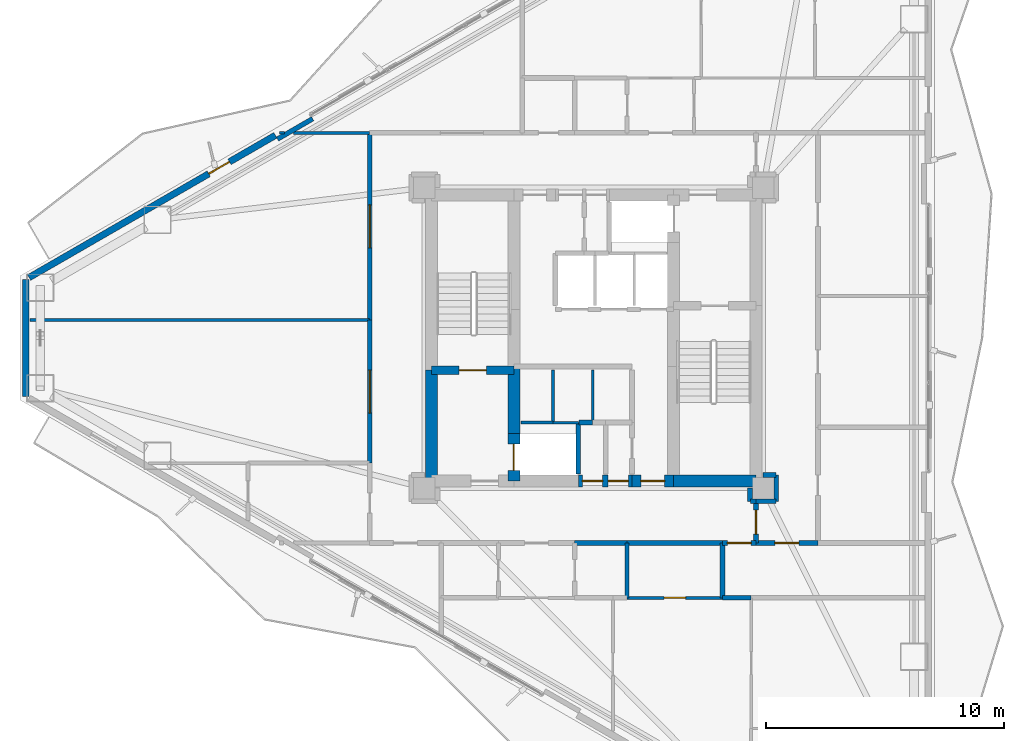
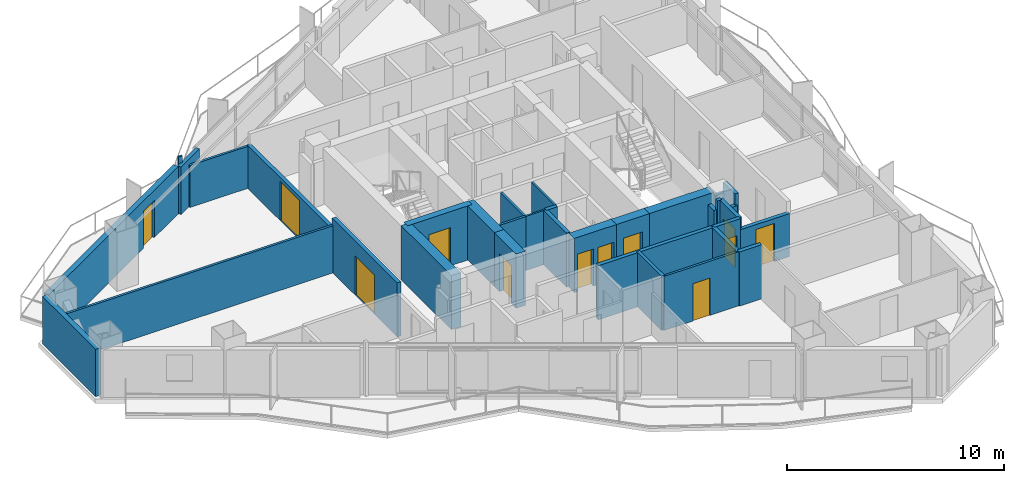
# One storey, part 16 of 22: 35 walls, 12 doors, 12 openings.
"""IFC4 building model written with IfcOpenShell, lengths in metres."""

from ifc_helpers import new_model, si_unit, direction, frame, frame_2d, origin, place, context, subcontext, project, spatial, rectangle, extrude, material, layer, layer_set, type_object, element, fill, save


model = new_model("IFC4")

# Units and contexts
model_context = context("Model", 3, precision=1e-05, world=origin(), true_north=direction((0.0, 1.0)))
body_context = subcontext(model_context, "Body", "Model", "MODEL_VIEW")
ifc_project = project(units=[si_unit("LENGTHUNIT", "METRE"), si_unit("AREAUNIT", "SQUARE_METRE"), si_unit("VOLUMEUNIT", "CUBIC_METRE"), si_unit("PLANEANGLEUNIT", "RADIAN"), si_unit("MASSUNIT", "GRAM", prefix="KILO")], contexts=[model_context])

# Site, building, storey
site_placement = place(None, origin())
site = spatial("IfcSite", under=ifc_project, at=site_placement, CompositionType="ELEMENT")
building_placement = place(site_placement, origin())
building = spatial("IfcBuilding", under=site, at=building_placement, Name="Mersakhor Tower and Convention Hall", CompositionType="ELEMENT")
storey_placement = place(building_placement, frame((0.0, 0.0, 90.0)))
storey = spatial("IfcBuildingStorey", under=building, at=storey_placement, Name="L24", CompositionType="ELEMENT", Elevation=90.0)

# Wall
ifc_material_1 = material(Name="Precast concrete C45/55", Category="concrete")
ifc_layer_1 = layer(ifc_material_1, 0.27490234375)
ifc_layer_set_1 = layer_set([ifc_layer_1], Name="Precast concrete C45/55")
wall_type_1 = type_object("IfcWallType", Name="WL-EXT-275", PredefinedType="SOLIDWALL", material=ifc_layer_set_1)
wall_1_placement = place(storey_placement, frame((5.186767578125, 24.292724609375, 0.0), z_axis=(0.0, 0.0, 1.0), x_axis=(0.0, 1.0, 0.0)))
element("IfcWall", 1, at=wall_1_placement, inside=storey, type_object=wall_type_1, Name="L24 Chamfer Braced Spandrel Wall C3", PredefinedType="SOLIDWALL", context=body_context, shape_type="SweptSolid", body=[
    extrude(rectangle(XDim=4.91455078125, YDim=0.27490234375, at=frame_2d((2.457275390625, 0.0))), origin(), (0.0, 0.0, 1.0), 2.669921875),
])

# Wall, opening, door
wall_2_placement = place(storey_placement, frame((5.316650390625, 29.2822265625, 0.0), z_axis=(0.0, 0.0, 1.0), x_axis=(0.866023023012, 0.500004123596, 0.0)))
wall_2 = element("IfcWall", 2, at=wall_2_placement, inside=storey, type_object=wall_type_1, Name="L24 Exterior Facade Wall F1-B1", PredefinedType="SOLIDWALL", context=body_context, shape_type="SweptSolid", body=[
    extrude(rectangle(XDim=11.9296875, YDim=0.27490234375, at=frame_2d((5.96484375, 0.0))), origin(), (0.0, 0.0, 1.0), 2.669921875),
])
opening_1_placement = place(wall_2_placement, frame((8.7041015625, 0.0, 0.0)))
opening_1 = element("IfcOpeningElement", 3, at=opening_1_placement, cuts=wall_2, Name="Opening BD-01", PredefinedType="OPENING", context=body_context, shape_type="SweptSolid", body=[
    extrude(rectangle(XDim=1.0, YDim=2.10009765625, at=frame_2d((0.5, 1.050048828125))), frame((0.0, 0.1474609375, 0.0), z_axis=(0.0, -1.0, 0.0), x_axis=(1.0, 0.0, 0.0)), (0.0, 0.0, 1.0), 0.294921875),
])
ifc_material_2 = material(Name="Thermally broken dark aluminium and safety glass", Category="aluminium")
door_type_1 = type_object("IfcDoorType", Name="DR-BAL-100x210", OperationType="NOTDEFINED", PredefinedType="DOOR", material=ifc_material_2)
door_1_placement = place(opening_1_placement, origin())
door_1 = element("IfcDoor", 4, at=door_1_placement, inside=storey, type_object=door_type_1, Name="L24 Balcony Terrace Door F1-B1", OperationType="SINGLE_SWING_LEFT", OverallHeight=2.10009765625, OverallWidth=1.0, PredefinedType="DOOR", context=body_context, shape_type="SweptSolid", body=[
    extrude(rectangle(XDim=1.0, YDim=2.10009765625, at=frame_2d((0.5, 1.050048828125))), frame((0.0, 0.02490234375, 0.0), z_axis=(0.0, -1.0, 0.0), x_axis=(1.0, 0.0, 0.0)), (0.0, 0.0, 1.0), 0.050048828125),
])
fill(opening_1, door_1)

# Walls
ifc_material_3 = material(Name="Precast concrete C40/50", Category="concrete")
ifc_layer_2 = layer(ifc_material_3, 0.199951171875)
ifc_layer_set_2 = layer_set([ifc_layer_2], Name="Precast concrete C40/50")
wall_type_2 = type_object("IfcWallType", Name="WL-PAR-200", PredefinedType="PARAPET", material=ifc_layer_set_2)
wall_3_placement = place(storey_placement, frame((15.73779296875, 35.091064453125, 0.0), z_axis=(0.0, 0.0, 1.0), x_axis=(0.866025371046, 0.500000056704, 0.0)))
element("IfcWall", 5, at=wall_3_placement, inside=storey, type_object=wall_type_2, Name="L24 Column Pier Cladding Wall F1-C1", PredefinedType="PARAPET", context=body_context, shape_type="SweptSolid", body=[
    extrude(rectangle(XDim=1.7001953125, YDim=0.199951171875, at=frame_2d((0.85009765625, 0.0))), origin(), (0.0, 0.0, 1.0), 2.669921875),
])
ifc_material_4 = material(Name="Moisture-resistant acoustic drywall studwork", Category="other")
ifc_layer_3 = layer(ifc_material_4, 0.175048828125)
ifc_layer_set_3 = layer_set([ifc_layer_3], Name="Moisture-resistant acoustic drywall studwork")
wall_type_3 = type_object("IfcWallType", Name="WL-PLM-175", PredefinedType="PLUMBINGWALL", material=ifc_layer_set_3)
wall_4_placement = place(storey_placement, frame((30.39990234375, 18.14990234375, 0.0), z_axis=(0.0, 0.0, 1.0), x_axis=(0.0, -1.0, 0.0)))
element("IfcWall", 6, at=wall_4_placement, inside=storey, type_object=wall_type_3, Name="L24 Interior Partition Wall P-082", PredefinedType="PLUMBINGWALL", context=body_context, shape_type="SweptSolid", body=[
    extrude(rectangle(XDim=2.2998046875, YDim=0.175048828125, at=frame_2d((1.14990234375, 0.0))), origin(), (0.0, 0.0, 1.0), 3.050048828125),
])
ifc_material_5 = material(Name="Lightweight gypsum partition", Category="other")
ifc_layer_4 = layer(ifc_material_5, 0.10009765625)
ifc_layer_set_4 = layer_set([ifc_layer_4], Name="Lightweight gypsum partition")
wall_type_4 = type_object("IfcWallType", Name="WL-PRT-100", PredefinedType="PARTITIONING", material=ifc_layer_set_4)
wall_5_placement = place(storey_placement, frame((27.300048828125, 23.199951171875, 0.0), z_axis=(0.0, 0.0, 1.0), x_axis=(1.0, 0.0, 0.0)))
element("IfcWall", 7, at=wall_5_placement, inside=storey, type_object=wall_type_4, Name="L24 Interior Partition Wall P-002", PredefinedType="PARTITIONING", context=body_context, shape_type="SweptSolid", body=[
    extrude(rectangle(XDim=1.050048828125, YDim=0.10009765625, at=frame_2d((0.52490234375, 0.0))), origin(), (0.0, 0.0, 1.0), 3.050048828125),
])
wall_6_placement = place(storey_placement, frame((28.949951171875, 25.39990234375, 0.0), z_axis=(0.0, 0.0, 1.0), x_axis=(0.0, -1.0, 0.0)))
element("IfcWall", 8, at=wall_6_placement, inside=storey, type_object=wall_type_4, Name="L24 Interior Partition Wall P-008", PredefinedType="PARTITIONING", context=body_context, shape_type="SweptSolid", body=[
    extrude(rectangle(XDim=2.199951171875, YDim=0.10009765625, at=frame_2d((1.10009765625, 0.0))), origin(), (0.0, 0.0, 1.0), 3.050048828125),
])
wall_7_placement = place(storey_placement, frame((16.026123046875, 35.35009765625, 0.0), z_axis=(0.0, 0.0, 1.0), x_axis=(-1.0, 0.0, 0.0)))
element("IfcWall", 9, at=wall_7_placement, inside=storey, type_object=wall_type_4, Name="L24 Interior Partition Wall P-088", PredefinedType="PARTITIONING", context=body_context, shape_type="SweptSolid", body=[
    extrude(rectangle(XDim=0.2001953125, YDim=0.10009765625, at=frame_2d((0.10009765625, 0.0))), origin(), (0.0, 0.0, 1.0), 3.050048828125),
])
ifc_material_6 = material(Name="Gypsum board acoustic partition", Category="other")
ifc_layer_5 = layer(ifc_material_6, 0.125)
ifc_layer_set_5 = layer_set([ifc_layer_5], Name="Gypsum board acoustic partition")
wall_type_5 = type_object("IfcWallType", Name="WL-PRT-125", PredefinedType="PARTITIONING", material=ifc_layer_set_5)
wall_8_placement = place(storey_placement, frame((25.949951171875, 23.199951171875, 0.0), z_axis=(0.0, 0.0, 1.0), x_axis=(1.0, 0.0, 0.0)))
element("IfcWall", 10, at=wall_8_placement, inside=storey, type_object=wall_type_5, Name="L24 Interior Partition Wall P-001", PredefinedType="PARTITIONING", context=body_context, shape_type="SweptSolid", body=[
    extrude(rectangle(XDim=1.35009765625, YDim=0.125, at=frame_2d((0.675048828125, 0.0))), origin(), (0.0, 0.0, 1.0), 3.050048828125),
])
wall_9_placement = place(storey_placement, frame((27.300048828125, 25.39990234375, 0.0), z_axis=(0.0, 0.0, 1.0), x_axis=(0.0, -1.0, 0.0)))
element("IfcWall", 11, at=wall_9_placement, inside=storey, type_object=wall_type_5, Name="L24 Interior Partition Wall P-007", PredefinedType="PARTITIONING", context=body_context, shape_type="SweptSolid", body=[
    extrude(rectangle(XDim=2.199951171875, YDim=0.125, at=frame_2d((1.10009765625, 0.0))), origin(), (0.0, 0.0, 1.0), 3.050048828125),
])

# Wall, opening, door
wall_10_placement = place(storey_placement, frame((34.39990234375, 15.85009765625, 0.0), z_axis=(0.0, 0.0, 1.0), x_axis=(-1.0, 0.0, 0.0)))
wall_10 = element("IfcWall", 12, at=wall_10_placement, inside=storey, type_object=wall_type_5, Name="L24 Interior Partition Wall P-083", PredefinedType="PARTITIONING", context=body_context, shape_type="SweptSolid", body=[
    extrude(rectangle(XDim=4.0, YDim=0.125, at=frame_2d((2.0, 0.0))), origin(), (0.0, 0.0, 1.0), 3.050048828125),
])
opening_2_placement = place(wall_10_placement, frame((1.550048828125, 0.0, 0.0)))
opening_2 = element("IfcOpeningElement", 13, at=opening_2_placement, cuts=wall_10, Name="Opening WD-01", PredefinedType="OPENING", context=body_context, shape_type="SweptSolid", body=[
    extrude(rectangle(XDim=0.89990234375, YDim=2.10009765625, at=frame_2d((0.449951171875, 1.050048828125))), frame((0.0, 0.072509765625, 0.0), z_axis=(0.0, -1.0, 0.0), x_axis=(1.0, 0.0, 0.0)), (0.0, 0.0, 1.0), 0.14501953125),
])
ifc_material_7 = material(Name="Solid-core hardwood leaf in painted steel frame", Category="steel")
door_type_2 = type_object("IfcDoorType", Name="DR-INT-WET-090x210", OperationType="NOTDEFINED", PredefinedType="DOOR", material=ifc_material_7)
door_2_placement = place(opening_2_placement, origin())
door_2 = element("IfcDoor", 14, at=door_2_placement, inside=storey, type_object=door_type_2, Name="L24 L24 Flat S2 Kitchen to L24 Flat S2 Master Bedroom Door", OperationType="SINGLE_SWING_RIGHT", OverallHeight=2.10009765625, OverallWidth=0.89990234375, PredefinedType="DOOR", context=body_context, shape_type="SweptSolid", body=[
    extrude(rectangle(XDim=0.89990234375, YDim=2.10009765625, at=frame_2d((0.449951171875, 1.050048828125))), frame((0.0, 0.02490234375, 0.0), z_axis=(0.0, -1.0, 0.0), x_axis=(1.0, 0.0, 0.0)), (0.0, 0.0, 1.0), 0.050048828125),
])
fill(opening_2, door_2)

# Walls
wall_11_placement = place(storey_placement, frame((19.60009765625, 35.35009765625, 0.0), z_axis=(0.0, 0.0, 1.0), x_axis=(-1.0, 0.0, 0.0)))
element("IfcWall", 15, at=wall_11_placement, inside=storey, type_object=wall_type_5, Name="L24 Interior Partition Wall P-087", PredefinedType="PARTITIONING", context=body_context, shape_type="SweptSolid", body=[
    extrude(rectangle(XDim=3.188232421875, YDim=0.125, at=frame_2d((1.59423828125, 0.0))), origin(), (0.0, 0.0, 1.0), 2.364990234375),
])
wall_12_placement = place(storey_placement, frame((19.60009765625, 27.5, 0.0), z_axis=(0.0, 0.0, 1.0), x_axis=(-1.0, 0.0, 0.0)))
element("IfcWall", 16, at=wall_12_placement, inside=storey, type_object=wall_type_5, Name="L24 Interior Partition Wall P-093", PredefinedType="PARTITIONING", context=body_context, shape_type="SweptSolid", body=[
    extrude(rectangle(XDim=14.251953125, YDim=0.125, at=frame_2d((7.1259765625, 0.0))), origin(), (0.0, 0.0, 1.0), 2.660400390625),
])
ifc_material_8 = material(Name="Acoustic concrete blockwork and gypsum board", Category="masonry")
ifc_layer_6 = layer(ifc_material_8, 0.199951171875)
ifc_layer_set_6 = layer_set([ifc_layer_6], Name="Acoustic concrete blockwork and gypsum board")
wall_type_6 = type_object("IfcWallType", Name="WL-PRT-200", PredefinedType="PARTITIONING", material=ifc_layer_set_6)
wall_13_placement = place(storey_placement, frame((28.35009765625, 23.199951171875, 0.0), z_axis=(0.0, 0.0, 1.0), x_axis=(0.0, -1.0, 0.0)))
element("IfcWall", 17, at=wall_13_placement, inside=storey, type_object=wall_type_6, Name="L24 Interior Partition Wall P-003", PredefinedType="PARTITIONING", context=body_context, shape_type="SweptSolid", body=[
    extrude(rectangle(XDim=2.14990234375, YDim=0.199951171875, at=frame_2d((1.074951171875, 0.0))), origin(), (0.0, 0.0, 1.0), 3.050048828125),
])
wall_14_placement = place(storey_placement, frame((28.949951171875, 23.199951171875, 0.0), z_axis=(0.0, 0.0, 1.0), x_axis=(-1.0, 0.0, 0.0)))
element("IfcWall", 18, at=wall_14_placement, inside=storey, type_object=wall_type_6, Name="L24 Interior Partition Wall P-009", PredefinedType="PARTITIONING", context=body_context, shape_type="SweptSolid", body=[
    extrude(rectangle(XDim=0.570068359375, YDim=0.199951171875, at=frame_2d((0.28515625, 0.0))), origin(), (0.0, 0.0, 1.0), 3.050048828125),
])
wall_15_placement = place(storey_placement, frame((35.550048828125, 20.449951171875, 0.0), z_axis=(0.0, 0.0, 1.0), x_axis=(0.0, -1.0, 0.0)))
element("IfcWall", 19, at=wall_15_placement, inside=storey, type_object=wall_type_6, Name="L24 Interior Partition Wall P-023", PredefinedType="PARTITIONING", context=body_context, shape_type="SweptSolid", body=[
    extrude(rectangle(XDim=0.550048828125, YDim=0.199951171875, at=frame_2d((0.27490234375, 0.0))), origin(), (0.0, 0.0, 1.0), 2.498291015625),
])
wall_16_placement = place(storey_placement, frame((35.580078125, 19.89990234375, 0.0), z_axis=(0.0, 0.0, 1.0), x_axis=(1.0, 0.0, 0.0)))
element("IfcWall", 20, at=wall_16_placement, inside=storey, type_object=wall_type_6, Name="L24 Interior Partition Wall P-024", PredefinedType="PARTITIONING", context=body_context, shape_type="SweptSolid", body=[
    extrude(rectangle(XDim=0.219970703125, YDim=0.199951171875, at=frame_2d((0.10986328125, 0.0))), origin(), (0.0, 0.0, 1.0), 3.050048828125),
])

# Wall, opening, door
wall_17_placement = place(storey_placement, frame((35.800048828125, 19.89990234375, 0.0), z_axis=(0.0, 0.0, 1.0), x_axis=(0.0, -1.0, 0.0)))
wall_17 = element("IfcWall", 21, at=wall_17_placement, inside=storey, type_object=wall_type_6, Name="L24 Interior Partition Wall P-025", PredefinedType="PARTITIONING", context=body_context, shape_type="SweptSolid", body=[
    extrude(rectangle(XDim=1.75, YDim=0.199951171875, at=frame_2d((0.875, 0.0))), origin(), (0.0, 0.0, 1.0), 3.050048828125),
])
opening_3_placement = place(wall_17_placement, frame((0.375, 0.0, 0.0)))
opening_3 = element("IfcOpeningElement", 22, at=opening_3_placement, cuts=wall_17, Name="Opening FD-01", PredefinedType="OPENING", context=body_context, shape_type="SweptSolid", body=[
    extrude(rectangle(XDim=1.0, YDim=2.14990234375, at=frame_2d((0.5, 1.074951171875))), frame((0.0, 0.10986328125, 0.0), z_axis=(0.0, -1.0, 0.0), x_axis=(1.0, 0.0, 0.0)), (0.0, 0.0, 1.0), 0.219970703125),
])
ifc_material_9 = material(Name="Fire-rated hardwood leaf and painted steel frame", Category="steel")
door_type_3 = type_object("IfcDoorType", Name="DR-INT-FLT-100x215", OperationType="NOTDEFINED", PredefinedType="DOOR", material=ifc_material_9)
door_3_placement = place(opening_3_placement, origin())
door_3 = element("IfcDoor", 23, at=door_3_placement, inside=storey, type_object=door_type_3, Name="L24 Ring Corridor Fire Door", OperationType="SINGLE_SWING_RIGHT", OverallHeight=2.14990234375, OverallWidth=1.0, PredefinedType="DOOR", context=body_context, shape_type="SweptSolid", body=[
    extrude(rectangle(XDim=1.0, YDim=2.14990234375, at=frame_2d((0.5, 1.074951171875))), frame((0.0, 0.02490234375, 0.0), z_axis=(0.0, -1.0, 0.0), x_axis=(1.0, 0.0, 0.0)), (0.0, 0.0, 1.0), 0.050048828125),
])
fill(opening_3, door_3)

wall_18_placement = place(storey_placement, frame((35.800048828125, 18.14990234375, 0.0), z_axis=(0.0, 0.0, 1.0), x_axis=(-1.0, 0.0, 0.0)))
wall_18 = element("IfcWall", 24, at=wall_18_placement, inside=storey, type_object=wall_type_6, Name="L24 Interior Partition Wall P-026", PredefinedType="PARTITIONING", context=body_context, shape_type="SweptSolid", body=[
    extrude(rectangle(XDim=1.400146484375, YDim=0.199951171875, at=frame_2d((0.7001953125, 0.0))), origin(), (0.0, 0.0, 1.0), 3.050048828125),
])
opening_4_placement = place(wall_18_placement, frame((0.199951171875, 0.0, 0.0)))
opening_4 = element("IfcOpeningElement", 25, at=opening_4_placement, cuts=wall_18, Name="Opening FD-01", PredefinedType="OPENING", context=body_context, shape_type="SweptSolid", body=[
    extrude(rectangle(XDim=1.0, YDim=2.14990234375, at=frame_2d((0.5, 1.074951171875))), frame((0.0, 0.10986328125, 0.0), z_axis=(0.0, -1.0, 0.0), x_axis=(1.0, 0.0, 0.0)), (0.0, 0.0, 1.0), 0.219970703125),
])
door_4_placement = place(opening_4_placement, origin())
door_4 = element("IfcDoor", 26, at=door_4_placement, inside=storey, type_object=door_type_3, Name="L24 Residential Ring Corridor to L24 South-East Shared Tea Pantry Door", OperationType="SINGLE_SWING_RIGHT", OverallHeight=2.14990234375, OverallWidth=1.0, PredefinedType="DOOR", context=body_context, shape_type="SweptSolid", body=[
    extrude(rectangle(XDim=1.0, YDim=2.14990234375, at=frame_2d((0.5, 1.074951171875))), frame((0.0, 0.02490234375, 0.0), z_axis=(0.0, -1.0, 0.0), x_axis=(1.0, 0.0, 0.0)), (0.0, 0.0, 1.0), 0.050048828125),
])
fill(opening_4, door_4)

# Walls
wall_19_placement = place(storey_placement, frame((34.39990234375, 18.14990234375, 0.0), z_axis=(0.0, 0.0, 1.0), x_axis=(-1.0, 0.0, 0.0)))
element("IfcWall", 27, at=wall_19_placement, inside=storey, type_object=wall_type_6, Name="L24 Interior Partition Wall P-027", PredefinedType="PARTITIONING", context=body_context, shape_type="SweptSolid", body=[
    extrude(rectangle(XDim=4.0, YDim=0.199951171875, at=frame_2d((2.0, 0.0))), origin(), (0.0, 0.0, 1.0), 3.050048828125),
])
wall_20_placement = place(storey_placement, frame((30.39990234375, 18.14990234375, 0.0), z_axis=(0.0, 0.0, 1.0), x_axis=(-1.0, 0.0, 0.0)))
element("IfcWall", 28, at=wall_20_placement, inside=storey, type_object=wall_type_6, Name="L24 Interior Partition Wall P-028", PredefinedType="PARTITIONING", context=body_context, shape_type="SweptSolid", body=[
    extrude(rectangle(XDim=2.199951171875, YDim=0.199951171875, at=frame_2d((1.10009765625, 0.0))), origin(), (0.0, 0.0, 1.0), 3.050048828125),
])

# Wall, opening, door
wall_21_placement = place(storey_placement, frame((19.60009765625, 21.5, 0.0), z_axis=(0.0, 0.0, 1.0), x_axis=(0.0, 1.0, 0.0)))
wall_21 = element("IfcWall", 29, at=wall_21_placement, inside=storey, type_object=wall_type_6, Name="L24 Interior Partition Wall P-033", PredefinedType="PARTITIONING", context=body_context, shape_type="SweptSolid", body=[
    extrude(rectangle(XDim=6.0, YDim=0.199951171875, at=frame_2d((3.0, 0.0))), origin(), (0.0, 0.0, 1.0), 3.050048828125),
])
opening_5_placement = place(wall_21_placement, frame((2.10009765625, 0.0, 0.0)))
opening_5 = element("IfcOpeningElement", 30, at=opening_5_placement, cuts=wall_21, Name="Opening HD-01", PredefinedType="OPENING", context=body_context, shape_type="SweptSolid", body=[
    extrude(rectangle(XDim=1.800048828125, YDim=2.199951171875, at=frame_2d((0.89990234375, 1.10009765625))), frame((0.0, 0.10986328125, 0.0), z_axis=(0.0, -1.0, 0.0), x_axis=(1.0, 0.0, 0.0)), (0.0, 0.0, 1.0), 0.219970703125),
])
ifc_material_10 = material(Name="Fire-rated hardwood leaf and painted steel frame", Category="steel")
door_type_4 = type_object("IfcDoorType", Name="DR-INT-HALL-180x220", OperationType="NOTDEFINED", PredefinedType="DOOR", material=ifc_material_10)
door_5_placement = place(opening_5_placement, origin())
door_5 = element("IfcDoor", 31, at=door_5_placement, inside=storey, type_object=door_type_4, Name="L24 Residential Ring Corridor to L24 West Wing Residents Seminar Room Door", OperationType="DOUBLE_DOOR_SINGLE_SWING", OverallHeight=2.199951171875, OverallWidth=1.800048828125, PredefinedType="DOOR", context=body_context, shape_type="SweptSolid", body=[
    extrude(rectangle(XDim=1.800048828125, YDim=2.199951171875, at=frame_2d((0.89990234375, 1.10009765625))), frame((0.0, 0.02490234375, 0.0), z_axis=(0.0, -1.0, 0.0), x_axis=(1.0, 0.0, 0.0)), (0.0, 0.0, 1.0), 0.050048828125),
])
fill(opening_5, door_5)

wall_22_placement = place(storey_placement, frame((19.60009765625, 27.5, 0.0), z_axis=(0.0, 0.0, 1.0), x_axis=(0.0, 1.0, 0.0)))
wall_22 = element("IfcWall", 32, at=wall_22_placement, inside=storey, type_object=wall_type_6, Name="L24 Interior Partition Wall P-034", PredefinedType="PARTITIONING", context=body_context, shape_type="SweptSolid", body=[
    extrude(rectangle(XDim=7.85009765625, YDim=0.199951171875, at=frame_2d((3.925048828125, 0.0))), origin(), (0.0, 0.0, 1.0), 2.4228515625),
])
opening_6_placement = place(wall_22_placement, frame((3.02490234375, 0.0, 0.0)))
opening_6 = element("IfcOpeningElement", 33, at=opening_6_placement, cuts=wall_22, Name="Opening HD-01", PredefinedType="OPENING", context=body_context, shape_type="SweptSolid", body=[
    extrude(rectangle(XDim=1.800048828125, YDim=2.199951171875, at=frame_2d((0.89990234375, 1.10009765625))), frame((0.0, 0.10986328125, 0.0), z_axis=(0.0, -1.0, 0.0), x_axis=(1.0, 0.0, 0.0)), (0.0, 0.0, 1.0), 0.219970703125),
])
door_6_placement = place(opening_6_placement, origin())
door_6 = element("IfcDoor", 34, at=door_6_placement, inside=storey, type_object=door_type_4, Name="L24 Residential Ring Corridor to L24 West Wing Residents Dining Hall Door", OperationType="DOUBLE_DOOR_SINGLE_SWING", OverallHeight=2.199951171875, OverallWidth=1.800048828125, PredefinedType="DOOR", context=body_context, shape_type="SweptSolid", body=[
    extrude(rectangle(XDim=1.800048828125, YDim=2.199951171875, at=frame_2d((0.89990234375, 1.10009765625))), frame((0.0, 0.02490234375, 0.0), z_axis=(0.0, -1.0, 0.0), x_axis=(1.0, 0.0, 0.0)), (0.0, 0.0, 1.0), 0.050048828125),
])
fill(opening_6, door_6)

# Wall
wall_23_placement = place(storey_placement, frame((36.64990234375, 21.0, 0.0), z_axis=(0.0, 0.0, 1.0), x_axis=(-1.0, 0.0, 0.0)))
element("IfcWall", 35, at=wall_23_placement, inside=storey, type_object=wall_type_6, Name="L24 Interior Partition Wall P-049", PredefinedType="PARTITIONING", context=body_context, shape_type="SweptSolid", body=[
    extrude(rectangle(XDim=0.5498046875, YDim=0.199951171875, at=frame_2d((0.27490234375, 0.0))), origin(), (0.0, 0.0, 1.0), 2.498291015625),
])

# Wall, opening, door
wall_24_placement = place(storey_placement, frame((38.39990234375, 18.14990234375, 0.0), z_axis=(0.0, 0.0, 1.0), x_axis=(-1.0, 0.0, 0.0)))
wall_24 = element("IfcWall", 36, at=wall_24_placement, inside=storey, type_object=wall_type_6, Name="L24 Interior Partition Wall P-057", PredefinedType="PARTITIONING", context=body_context, shape_type="SweptSolid", body=[
    extrude(rectangle(XDim=2.599853515625, YDim=0.199951171875, at=frame_2d((1.2998046875, 0.0))), origin(), (0.0, 0.0, 1.0), 2.4228515625),
])
opening_7_placement = place(wall_24_placement, frame((0.800048828125, 0.0, 0.0)))
opening_7 = element("IfcOpeningElement", 37, at=opening_7_placement, cuts=wall_24, Name="Opening FD-01", PredefinedType="OPENING", context=body_context, shape_type="SweptSolid", body=[
    extrude(rectangle(XDim=1.0, YDim=2.14990234375, at=frame_2d((0.5, 1.074951171875))), frame((0.0, 0.10986328125, 0.0), z_axis=(0.0, -1.0, 0.0), x_axis=(1.0, 0.0, 0.0)), (0.0, 0.0, 1.0), 0.219970703125),
])
door_7_placement = place(opening_7_placement, origin())
door_7 = element("IfcDoor", 38, at=door_7_placement, inside=storey, type_object=door_type_3, Name="L24 Residential Ring East Corridor to L24 South-East Shared Tea Pantry Door", OperationType="SINGLE_SWING_RIGHT", OverallHeight=2.14990234375, OverallWidth=1.0, PredefinedType="DOOR", context=body_context, shape_type="SweptSolid", body=[
    extrude(rectangle(XDim=1.0, YDim=2.14990234375, at=frame_2d((0.5, 1.074951171875))), frame((0.0, 0.02490234375, 0.0), z_axis=(0.0, -1.0, 0.0), x_axis=(1.0, 0.0, 0.0)), (0.0, 0.0, 1.0), 0.050048828125),
])
fill(opening_7, door_7)

# Walls
wall_25_placement = place(storey_placement, frame((35.800048828125, 19.89990234375, 0.0), z_axis=(0.0, 0.0, 1.0), x_axis=(1.0, 0.0, 0.0)))
element("IfcWall", 39, at=wall_25_placement, inside=storey, type_object=wall_type_6, Name="L24 Interior Partition Wall P-058", PredefinedType="PARTITIONING", context=body_context, shape_type="SweptSolid", body=[
    extrude(rectangle(XDim=0.849853515625, YDim=0.199951171875, at=frame_2d((0.4248046875, 0.0))), origin(), (0.0, 0.0, 1.0), 2.4228515625),
])
wall_26_placement = place(storey_placement, frame((36.64990234375, 19.89990234375, 0.0), z_axis=(0.0, 0.0, 1.0), x_axis=(0.0, 1.0, 0.0)))
element("IfcWall", 40, at=wall_26_placement, inside=storey, type_object=wall_type_6, Name="L24 Interior Partition Wall P-059", PredefinedType="PARTITIONING", context=body_context, shape_type="SweptSolid", body=[
    extrude(rectangle(XDim=1.10009765625, YDim=0.199951171875, at=frame_2d((0.550048828125, 0.0))), origin(), (0.0, 0.0, 1.0), 3.050048828125),
])
wall_27_placement = place(storey_placement, frame((34.39990234375, 18.14990234375, 0.0), z_axis=(0.0, 0.0, 1.0), x_axis=(0.0, -1.0, 0.0)))
element("IfcWall", 41, at=wall_27_placement, inside=storey, type_object=wall_type_6, Name="L24 Interior Partition Wall P-084", PredefinedType="PARTITIONING", context=body_context, shape_type="SweptSolid", body=[
    extrude(rectangle(XDim=2.2998046875, YDim=0.199951171875, at=frame_2d((1.14990234375, 0.0))), origin(), (0.0, 0.0, 1.0), 3.050048828125),
])
wall_28_placement = place(storey_placement, frame((35.60009765625, 15.85009765625, 0.0), z_axis=(0.0, 0.0, 1.0), x_axis=(-1.0, 0.0, 0.0)))
element("IfcWall", 42, at=wall_28_placement, inside=storey, type_object=wall_type_6, Name="L24 Interior Partition Wall P-091", PredefinedType="PARTITIONING", context=body_context, shape_type="SweptSolid", body=[
    extrude(rectangle(XDim=1.2001953125, YDim=0.199951171875, at=frame_2d((0.60009765625, 0.0))), origin(), (0.0, 0.0, 1.0), 3.050048828125),
])

# Wall, opening, door
ifc_material_11 = material(Name="Concrete C50/60", Category="concrete")
ifc_layer_7 = layer(ifc_material_11, 0.35009765625)
ifc_layer_set_7 = layer_set([ifc_layer_7], Name="Concrete C50/60")
wall_type_7 = type_object("IfcWallType", Name="WL-SHR-350", PredefinedType="SHEAR", material=ifc_layer_set_7)
wall_29_placement = place(storey_placement, frame((22.199951171875, 25.39990234375, 0.0), z_axis=(0.0, 0.0, 1.0), x_axis=(1.0, 0.0, 0.0)))
wall_29 = element("IfcWall", 43, at=wall_29_placement, inside=storey, type_object=wall_type_7, Name="L24 Core Wall CS-ST1-S", PredefinedType="SHEAR", context=body_context, shape_type="SweptSolid", body=[
    extrude(rectangle(XDim=3.449951171875, YDim=0.35009765625, at=frame_2d((1.72509765625, 0.0))), origin(), (0.0, 0.0, 1.0), 3.050048828125),
])
opening_8_placement = place(wall_29_placement, frame((1.14990234375, 0.0, 0.0)))
opening_8 = element("IfcOpeningElement", 44, at=opening_8_placement, cuts=wall_29, Name="Opening SD-01", PredefinedType="OPENING", context=body_context, shape_type="SweptSolid", body=[
    extrude(rectangle(XDim=1.14990234375, YDim=2.14990234375, at=frame_2d((0.574951171875, 1.074951171875))), frame((0.0, 0.18505859375, 0.0), z_axis=(0.0, -1.0, 0.0), x_axis=(1.0, 0.0, 0.0)), (0.0, 0.0, 1.0), 0.3701171875),
])
ifc_material_12 = material(Name="Fire-rated hardwood leaf and painted steel frame", Category="steel")
door_type_5 = type_object("IfcDoorType", Name="DR-INT-STAIR-115x215", OperationType="NOTDEFINED", PredefinedType="DOOR", material=ifc_material_12)
door_8_placement = place(opening_8_placement, origin())
door_8 = element("IfcDoor", 45, at=door_8_placement, inside=storey, type_object=door_type_5, Name="L24 Exit Stair ST-1 Enclosure Door", OperationType="SINGLE_SWING_LEFT", OverallHeight=2.14990234375, OverallWidth=1.14990234375, PredefinedType="DOOR", context=body_context, shape_type="SweptSolid", body=[
    extrude(rectangle(XDim=1.14990234375, YDim=2.14990234375, at=frame_2d((0.574951171875, 1.074951171875))), frame((0.0, 0.02490234375, 0.0), z_axis=(0.0, -1.0, 0.0), x_axis=(1.0, 0.0, 0.0)), (0.0, 0.0, 1.0), 0.050048828125),
])
fill(opening_8, door_8)

# Walls
ifc_material_13 = material(Name="Concrete C70/85", Category="concrete")
ifc_layer_8 = layer(ifc_material_13, 0.5)
ifc_layer_set_8 = layer_set([ifc_layer_8], Name="Concrete C70/85")
wall_type_8 = type_object("IfcWallType", Name="WL-SHR-500", PredefinedType="SHEAR", material=ifc_layer_set_8)
wall_30_placement = place(storey_placement, frame((22.199951171875, 20.75, 0.0), z_axis=(0.0, 0.0, 1.0), x_axis=(0.0, 1.0, 0.0)))
element("IfcWall", 46, at=wall_30_placement, inside=storey, type_object=wall_type_8, Name="L24 Core Wall CW-W1", PredefinedType="SHEAR", context=body_context, shape_type="SweptSolid", body=[
    extrude(rectangle(XDim=4.64990234375, YDim=0.5, at=frame_2d((2.324951171875, 0.0))), origin(), (0.0, 0.0, 1.0), 3.050048828125),
])
wall_31_placement = place(storey_placement, frame((35.800048828125, 20.75, 0.0), z_axis=(0.0, 0.0, 1.0), x_axis=(-1.0, 0.0, 0.0)))
element("IfcWall", 47, at=wall_31_placement, inside=storey, type_object=wall_type_8, Name="L24 Core Wall CW-S1", PredefinedType="SHEAR", context=body_context, shape_type="SweptSolid", body=[
    extrude(rectangle(XDim=3.449951171875, YDim=0.5, at=frame_2d((1.72509765625, 0.0))), origin(), (0.0, 0.0, 1.0), 3.050048828125),
])

# Wall, opening, door
wall_32_placement = place(storey_placement, frame((32.35009765625, 20.75, 0.0), z_axis=(0.0, 0.0, 1.0), x_axis=(-1.0, 0.0, 0.0)))
wall_32 = element("IfcWall", 48, at=wall_32_placement, inside=storey, type_object=wall_type_8, Name="L24 Core Wall CW-S2A", PredefinedType="SHEAR", context=body_context, shape_type="SweptSolid", body=[
    extrude(rectangle(XDim=1.75, YDim=0.5, at=frame_2d((0.875, 0.0))), origin(), (0.0, 0.0, 1.0), 3.050048828125),
])
opening_9_placement = place(wall_32_placement, frame((0.375, 0.0, 0.0)))
opening_9 = element("IfcOpeningElement", 49, at=opening_9_placement, cuts=wall_32, Name="Opening CFD-01", PredefinedType="OPENING", context=body_context, shape_type="SweptSolid", body=[
    extrude(rectangle(XDim=1.0, YDim=2.14990234375, at=frame_2d((0.5, 1.074951171875))), frame((0.0, 0.260009765625, 0.0), z_axis=(0.0, -1.0, 0.0), x_axis=(1.0, 0.0, 0.0)), (0.0, 0.0, 1.0), 0.52001953125),
])
ifc_material_14 = material(Name="Fire-rated hardwood leaf and painted steel frame", Category="steel")
door_type_6 = type_object("IfcDoorType", Name="DR-CORE-FD-100x215", OperationType="NOTDEFINED", PredefinedType="DOOR", material=ifc_material_14)
door_9_placement = place(opening_9_placement, origin())
door_9 = element("IfcDoor", 50, at=door_9_placement, inside=storey, type_object=door_type_6, Name="L24 Lift Lobby South Corridor Door", OperationType="SINGLE_SWING_RIGHT", OverallHeight=2.14990234375, OverallWidth=1.0, PredefinedType="DOOR", context=body_context, shape_type="SweptSolid", body=[
    extrude(rectangle(XDim=1.0, YDim=2.14990234375, at=frame_2d((0.5, 1.074951171875))), frame((0.0, 0.02490234375, 0.0), z_axis=(0.0, -1.0, 0.0), x_axis=(1.0, 0.0, 0.0)), (0.0, 0.0, 1.0), 0.050048828125),
])
fill(opening_9, door_9)

# Wall, openings, doors
wall_33_placement = place(storey_placement, frame((30.60009765625, 20.75, 0.0), z_axis=(0.0, 0.0, 1.0), x_axis=(-1.0, 0.0, 0.0)))
wall_33 = element("IfcWall", 51, at=wall_33_placement, inside=storey, type_object=wall_type_8, Name="L24 Core Wall CW-S2B", PredefinedType="SHEAR", context=body_context, shape_type="SweptSolid", body=[
    extrude(rectangle(XDim=2.25, YDim=0.5, at=frame_2d((1.125, 0.0))), origin(), (0.0, 0.0, 1.0), 3.050048828125),
])
opening_10_placement = place(wall_33_placement, frame((1.22998046875, 0.0, 0.0)))
opening_10 = element("IfcOpeningElement", 52, at=opening_10_placement, cuts=wall_33, Name="Opening SVD-01", PredefinedType="OPENING", context=body_context, shape_type="SweptSolid", body=[
    extrude(rectangle(XDim=0.85009765625, YDim=2.10009765625, at=frame_2d((0.425048828125, 1.050048828125))), frame((0.0, 0.260009765625, 0.0), z_axis=(0.0, -1.0, 0.0), x_axis=(1.0, 0.0, 0.0)), (0.0, 0.0, 1.0), 0.52001953125),
])
opening_11_placement = place(wall_33_placement, frame((0.14501953125, 0.0, 0.0)))
opening_11 = element("IfcOpeningElement", 53, at=opening_11_placement, cuts=wall_33, Name="Opening SVD-01", PredefinedType="OPENING", context=body_context, shape_type="SweptSolid", body=[
    extrude(rectangle(XDim=0.85009765625, YDim=2.10009765625, at=frame_2d((0.425048828125, 1.050048828125))), frame((0.0, 0.260009765625, 0.0), z_axis=(0.0, -1.0, 0.0), x_axis=(1.0, 0.0, 0.0)), (0.0, 0.0, 1.0), 0.52001953125),
])
ifc_material_15 = material(Name="Fire-rated hardwood leaf and painted steel frame", Category="steel")
door_type_7 = type_object("IfcDoorType", Name="DR-INT-SVC-085x210", OperationType="NOTDEFINED", PredefinedType="DOOR", material=ifc_material_15)
door_10_placement = place(opening_10_placement, origin())
door_10 = element("IfcDoor", 54, at=door_10_placement, inside=storey, type_object=door_type_7, Name="L24 Residential Ring Corridor to Mechanical Valve Plant Room Door", OperationType="SINGLE_SWING_RIGHT", OverallHeight=2.10009765625, OverallWidth=0.85009765625, PredefinedType="DOOR", context=body_context, shape_type="SweptSolid", body=[
    extrude(rectangle(XDim=0.85009765625, YDim=2.10009765625, at=frame_2d((0.425048828125, 1.050048828125))), frame((0.0, 0.02490234375, 0.0), z_axis=(0.0, -1.0, 0.0), x_axis=(1.0, 0.0, 0.0)), (0.0, 0.0, 1.0), 0.050048828125),
])
fill(opening_10, door_10)
door_11_placement = place(opening_11_placement, origin())
door_11 = element("IfcDoor", 55, at=door_11_placement, inside=storey, type_object=door_type_7, Name="L24 Residential Ring Corridor to Refuse and Recycling Room Door", OperationType="SINGLE_SWING_LEFT", OverallHeight=2.10009765625, OverallWidth=0.85009765625, PredefinedType="DOOR", context=body_context, shape_type="SweptSolid", body=[
    extrude(rectangle(XDim=0.85009765625, YDim=2.10009765625, at=frame_2d((0.425048828125, 1.050048828125))), frame((0.0, 0.02490234375, 0.0), z_axis=(0.0, -1.0, 0.0), x_axis=(1.0, 0.0, 0.0)), (0.0, 0.0, 1.0), 0.050048828125),
])
fill(opening_11, door_11)

# Wall, opening, door
wall_34_placement = place(storey_placement, frame((25.64990234375, 20.75, 0.0), z_axis=(0.0, 0.0, 1.0), x_axis=(0.0, 1.0, 0.0)))
wall_34 = element("IfcWall", 56, at=wall_34_placement, inside=storey, type_object=wall_type_8, Name="L24 Core Wall CS-W-FFL", PredefinedType="SHEAR", context=body_context, shape_type="SweptSolid", body=[
    extrude(rectangle(XDim=2.0, YDim=0.5, at=frame_2d((1.0, 0.0))), origin(), (0.0, 0.0, 1.0), 3.050048828125),
])
opening_12_placement = place(wall_34_placement, frame((0.449951171875, 0.0, 0.0)))
opening_12 = element("IfcOpeningElement", 57, at=opening_12_placement, cuts=wall_34, Name="Opening LD-FFL1", PredefinedType="OPENING", context=body_context, shape_type="SweptSolid", body=[
    extrude(rectangle(XDim=1.10009765625, YDim=2.14990234375, at=frame_2d((0.550048828125, 1.074951171875))), frame((0.0, 0.260009765625, 0.0), z_axis=(0.0, -1.0, 0.0), x_axis=(1.0, 0.0, 0.0)), (0.0, 0.0, 1.0), 0.52001953125),
])
ifc_material_16 = material(Name="Fire-rated brushed stainless steel sliding landing door", Category="steel")
door_type_8 = type_object("IfcDoorType", Name="DR-LIFT-SLD-110x215", OperationType="NOTDEFINED", PredefinedType="DOOR", material=ifc_material_16)
door_12_placement = place(opening_12_placement, origin())
door_12 = element("IfcDoor", 58, at=door_12_placement, inside=storey, type_object=door_type_8, Name="L24 Firefighting Lift Landing Door LD-FFL1", OperationType="SLIDING_TO_LEFT", OverallHeight=2.14990234375, OverallWidth=1.10009765625, PredefinedType="DOOR", context=body_context, shape_type="SweptSolid", body=[
    extrude(rectangle(XDim=1.10009765625, YDim=2.14990234375, at=frame_2d((0.550048828125, 1.074951171875))), frame((0.0, 0.02490234375, 0.0), z_axis=(0.0, -1.0, 0.0), x_axis=(1.0, 0.0, 0.0)), (0.0, 0.0, 1.0), 0.050048828125),
])
fill(opening_12, door_12)

# Wall
wall_35_placement = place(storey_placement, frame((25.64990234375, 22.75, 0.0), z_axis=(0.0, 0.0, 1.0), x_axis=(0.0, 1.0, 0.0)))
element("IfcWall", 59, at=wall_35_placement, inside=storey, type_object=wall_type_8, Name="L24 Core Wall CS-W-MID", PredefinedType="SHEAR", context=body_context, shape_type="SweptSolid", body=[
    extrude(rectangle(XDim=2.800048828125, YDim=0.5, at=frame_2d((1.39990234375, 0.0))), origin(), (0.0, 0.0, 1.0), 3.050048828125),
])

save(model, "model.ifc")
